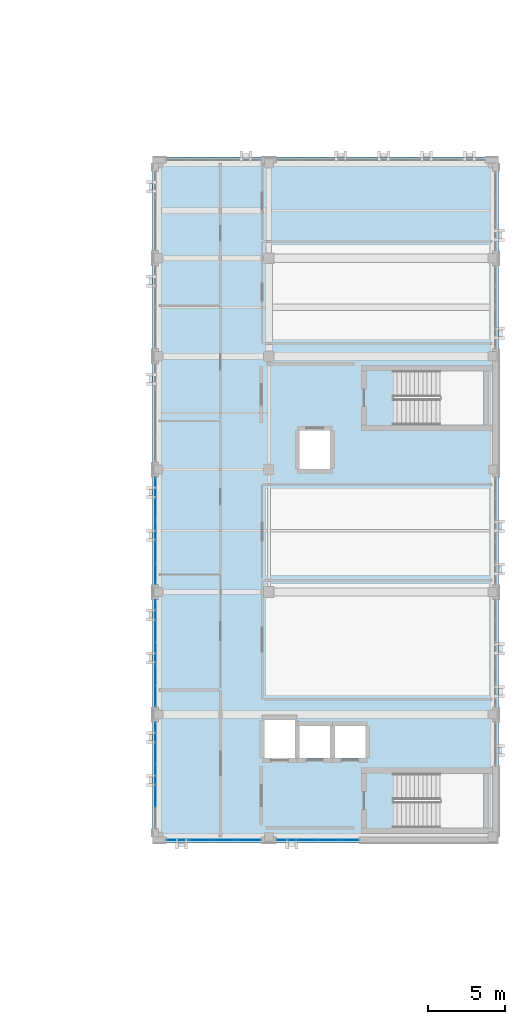
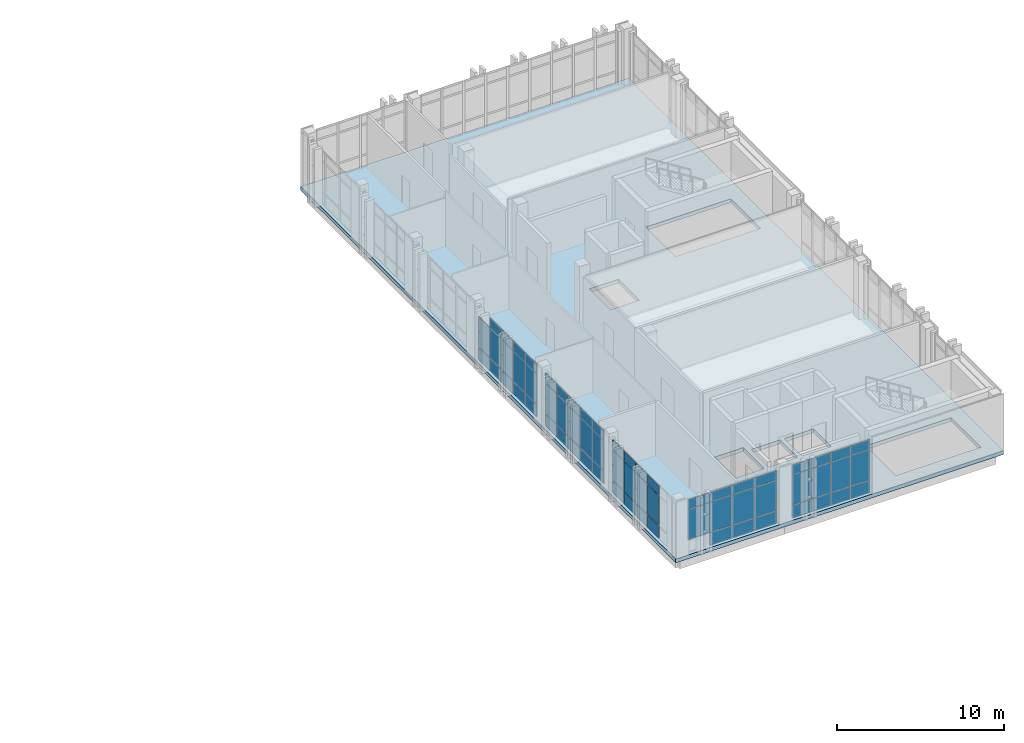
# One storey, part 60 of 90: 64 plates, 1 slab, 5 elements without a shape of their own.
"""IFC4 building model written with IfcOpenShell, lengths in metres."""

from ifc_helpers import new_model, si_unit, direction, frame, origin, origin_2d, place, context, subcontext, project, spatial, polyline, rectangle, outline, extrude, material, layer, layer_set, type_object, element, aggregate, save


model = new_model("IFC4")

# Units and contexts
model_context = context("Model", 3, precision=1e-05, world=origin(), true_north=direction((0.0, 1.0)))
body_context = subcontext(model_context, "Body", "Model", "MODEL_VIEW")
ifc_project = project(units=[si_unit("LENGTHUNIT", "METRE"), si_unit("AREAUNIT", "SQUARE_METRE"), si_unit("VOLUMEUNIT", "CUBIC_METRE"), si_unit("PLANEANGLEUNIT", "RADIAN"), si_unit("MASSUNIT", "GRAM", prefix="KILO")], contexts=[model_context])

# Site, building, storey
site_placement = place(None, origin())
site = spatial("IfcSite", under=ifc_project, at=site_placement, CompositionType="ELEMENT")
building_placement = place(site_placement, origin())
building = spatial("IfcBuilding", under=site, at=building_placement, Name="Qalavern Law Courts", CompositionType="ELEMENT")
storey_placement = place(building_placement, frame((0.0, 0.0, 22.800048828125)))
storey = spatial("IfcBuildingStorey", under=building, at=storey_placement, Name="L05", CompositionType="ELEMENT", Elevation=22.800048828125)

# Curtain wall, plates
ifc_material_1 = material(Name="Anodised aluminium and insulated glazing", Category="aluminium")
ifc_layer_1 = layer(ifc_material_1, 0.159912109375)
ifc_layer_set_1 = layer_set([ifc_layer_1], Name="Anodised aluminium and insulated glazing")
curtain_wall_type = type_object("IfcCurtainWallType", Name="ENV-CW-CHAMB", PredefinedType="USERDEFINED", material=ifc_layer_set_1)
curtain_wall_1_placement = place(storey_placement, origin())
curtain_wall_1 = element("IfcCurtainWall", 1, at=curtain_wall_1_placement, inside=storey, type_object=curtain_wall_type, Name="V4 unitised curtain wall L05 south 1", ObjectType="UNITISED CURTAIN WALL", PredefinedType="USERDEFINED")
ifc_material_2 = material(Name="Insulated low-E acoustic glazing", Category="glass")
ifc_layer_2 = layer(ifc_material_2, 0.028076171875)
ifc_layer_set_2 = layer_set([ifc_layer_2], Name="Insulated low-E acoustic glazing")
plate_type_1 = type_object("IfcPlateType", Name="ENV-CWP-28", PredefinedType="CURTAIN_PANEL", material=ifc_layer_set_2)
plate_1_placement = place(storey_placement, frame((85.886962890625, 41.21240234375, 0.97412109375), z_axis=(0.0, 0.0, 1.0), x_axis=(1.0, 0.0, 0.0)))
plate_1 = element("IfcPlate", 2, at=plate_1_placement, type_object=plate_type_1, Name="CW-04 panel 1.2", PredefinedType="CURTAIN_PANEL", context=body_context, shape_type="SweptSolid", body=[
    extrude(rectangle(XDim=1.47802734375, YDim=0.028076171875, at=origin_2d()), origin(), (0.0, 0.0, 1.0), 2.181884765625),
])
plate_2_placement = place(storey_placement, frame((85.886962890625, 41.21240234375, 3.2041015625), z_axis=(0.0, 0.0, 1.0), x_axis=(1.0, 0.0, 0.0)))
plate_2 = element("IfcPlate", 3, at=plate_2_placement, type_object=plate_type_1, Name="CW-04 panel 1.3", PredefinedType="CURTAIN_PANEL", context=body_context, shape_type="SweptSolid", body=[
    extrude(rectangle(XDim=1.47802734375, YDim=0.028076171875, at=origin_2d()), origin(), (0.0, 0.0, 1.0), 0.677978515625),
])
plate_3_placement = place(storey_placement, frame((87.425048828125, 41.21240234375, 0.048095703125), z_axis=(0.0, 0.0, 1.0), x_axis=(1.0, 0.0, 0.0)))
plate_3 = element("IfcPlate", 4, at=plate_3_placement, type_object=plate_type_1, Name="CW-04 panel 2.1", PredefinedType="CURTAIN_PANEL", context=body_context, shape_type="SweptSolid", body=[
    extrude(rectangle(XDim=1.501953125, YDim=0.028076171875, at=origin_2d()), origin(), (0.0, 0.0, 1.0), 0.8779296875),
])
plate_4_placement = place(storey_placement, frame((87.425048828125, 41.21240234375, 0.97412109375), z_axis=(0.0, 0.0, 1.0), x_axis=(1.0, 0.0, 0.0)))
plate_4 = element("IfcPlate", 5, at=plate_4_placement, type_object=plate_type_1, Name="CW-04 panel 2.2", PredefinedType="CURTAIN_PANEL", context=body_context, shape_type="SweptSolid", body=[
    extrude(rectangle(XDim=1.501953125, YDim=0.028076171875, at=origin_2d()), origin(), (0.0, 0.0, 1.0), 2.181884765625),
])
plate_5_placement = place(storey_placement, frame((87.425048828125, 41.21240234375, 3.2041015625), z_axis=(0.0, 0.0, 1.0), x_axis=(1.0, 0.0, 0.0)))
plate_5 = element("IfcPlate", 6, at=plate_5_placement, type_object=plate_type_1, Name="CW-04 panel 2.3", PredefinedType="CURTAIN_PANEL", context=body_context, shape_type="SweptSolid", body=[
    extrude(rectangle(XDim=1.501953125, YDim=0.028076171875, at=origin_2d()), origin(), (0.0, 0.0, 1.0), 0.677978515625),
])
plate_6_placement = place(storey_placement, frame((88.97509765625, 41.21240234375, 0.048095703125), z_axis=(0.0, 0.0, 1.0), x_axis=(1.0, 0.0, 0.0)))
plate_6 = element("IfcPlate", 7, at=plate_6_placement, type_object=plate_type_1, Name="CW-04 panel 3.1", PredefinedType="CURTAIN_PANEL", context=body_context, shape_type="SweptSolid", body=[
    extrude(rectangle(XDim=1.501953125, YDim=0.028076171875, at=origin_2d()), origin(), (0.0, 0.0, 1.0), 0.8779296875),
])
plate_7_placement = place(storey_placement, frame((88.97509765625, 41.21240234375, 0.97412109375), z_axis=(0.0, 0.0, 1.0), x_axis=(1.0, 0.0, 0.0)))
plate_7 = element("IfcPlate", 8, at=plate_7_placement, type_object=plate_type_1, Name="CW-04 panel 3.2", PredefinedType="CURTAIN_PANEL", context=body_context, shape_type="SweptSolid", body=[
    extrude(rectangle(XDim=1.501953125, YDim=0.028076171875, at=origin_2d()), origin(), (0.0, 0.0, 1.0), 2.181884765625),
])
plate_8_placement = place(storey_placement, frame((88.97509765625, 41.21240234375, 3.2041015625), z_axis=(0.0, 0.0, 1.0), x_axis=(1.0, 0.0, 0.0)))
plate_8 = element("IfcPlate", 9, at=plate_8_placement, type_object=plate_type_1, Name="CW-04 panel 3.3", PredefinedType="CURTAIN_PANEL", context=body_context, shape_type="SweptSolid", body=[
    extrude(rectangle(XDim=1.501953125, YDim=0.028076171875, at=origin_2d()), origin(), (0.0, 0.0, 1.0), 0.677978515625),
])
plate_9_placement = place(storey_placement, frame((90.512939453125, 41.21240234375, 0.048095703125), z_axis=(0.0, 0.0, 1.0), x_axis=(1.0, 0.0, 0.0)))
plate_9 = element("IfcPlate", 10, at=plate_9_placement, type_object=plate_type_1, Name="CW-04 panel 4.1", PredefinedType="CURTAIN_PANEL", context=body_context, shape_type="SweptSolid", body=[
    extrude(rectangle(XDim=1.47802734375, YDim=0.028076171875, at=origin_2d()), origin(), (0.0, 0.0, 1.0), 0.8779296875),
])
plate_10_placement = place(storey_placement, frame((90.512939453125, 41.21240234375, 0.97412109375), z_axis=(0.0, 0.0, 1.0), x_axis=(1.0, 0.0, 0.0)))
plate_10 = element("IfcPlate", 11, at=plate_10_placement, type_object=plate_type_1, Name="CW-04 panel 4.2", PredefinedType="CURTAIN_PANEL", context=body_context, shape_type="SweptSolid", body=[
    extrude(rectangle(XDim=1.47802734375, YDim=0.028076171875, at=origin_2d()), origin(), (0.0, 0.0, 1.0), 2.181884765625),
])
plate_11_placement = place(storey_placement, frame((90.512939453125, 41.21240234375, 3.2041015625), z_axis=(0.0, 0.0, 1.0), x_axis=(1.0, 0.0, 0.0)))
plate_11 = element("IfcPlate", 12, at=plate_11_placement, type_object=plate_type_1, Name="CW-04 panel 4.3", PredefinedType="CURTAIN_PANEL", context=body_context, shape_type="SweptSolid", body=[
    extrude(rectangle(XDim=1.47802734375, YDim=0.028076171875, at=origin_2d()), origin(), (0.0, 0.0, 1.0), 0.677978515625),
])
aggregate(curtain_wall_1, [plate_1, plate_2, plate_3, plate_4, plate_5, plate_6, plate_7, plate_8, plate_9, plate_10, plate_11])

curtain_wall_2_placement = place(storey_placement, origin())
curtain_wall_2 = element("IfcCurtainWall", 13, at=curtain_wall_2_placement, inside=storey, type_object=curtain_wall_type, Name="V4 unitised curtain wall L05 south 2", ObjectType="UNITISED CURTAIN WALL", PredefinedType="USERDEFINED")
ifc_layer_3 = layer(ifc_material_2, 0.031982421875)
ifc_layer_set_3 = layer_set([ifc_layer_3], Name="Insulated low-E acoustic glazing")
plate_type_2 = type_object("IfcPlateType", Name="ENV-CWP-32", PredefinedType="CURTAIN_PANEL", material=ifc_layer_set_3)
plate_12_placement = place(storey_placement, frame((92.987060546875, 41.21240234375, 0.048095703125), z_axis=(0.0, 0.0, 1.0), x_axis=(1.0, 0.0, 0.0)))
plate_12 = element("IfcPlate", 14, at=plate_12_placement, type_object=plate_type_2, Name="CW-04 panel 1.1", PredefinedType="CURTAIN_PANEL", context=body_context, shape_type="SweptSolid", body=[
    extrude(rectangle(XDim=1.278076171875, YDim=0.031982421875, at=origin_2d()), origin(), (0.0, 0.0, 1.0), 0.8779296875),
])
plate_13_placement = place(storey_placement, frame((92.987060546875, 41.21240234375, 0.97412109375), z_axis=(0.0, 0.0, 1.0), x_axis=(1.0, 0.0, 0.0)))
plate_13 = element("IfcPlate", 15, at=plate_13_placement, type_object=plate_type_2, Name="CW-04 panel 1.2", PredefinedType="CURTAIN_PANEL", context=body_context, shape_type="SweptSolid", body=[
    extrude(rectangle(XDim=1.278076171875, YDim=0.031982421875, at=origin_2d()), origin(), (0.0, 0.0, 1.0), 2.181884765625),
])
plate_14_placement = place(storey_placement, frame((92.987060546875, 41.21240234375, 3.2041015625), z_axis=(0.0, 0.0, 1.0), x_axis=(1.0, 0.0, 0.0)))
plate_14 = element("IfcPlate", 16, at=plate_14_placement, type_object=plate_type_2, Name="CW-04 panel 1.3", PredefinedType="CURTAIN_PANEL", context=body_context, shape_type="SweptSolid", body=[
    extrude(rectangle(XDim=1.278076171875, YDim=0.031982421875, at=origin_2d()), origin(), (0.0, 0.0, 1.0), 0.677978515625),
])
plate_15_placement = place(storey_placement, frame((94.324951171875, 41.21240234375, 0.048095703125), z_axis=(0.0, 0.0, 1.0), x_axis=(1.0, 0.0, 0.0)))
plate_15 = element("IfcPlate", 17, at=plate_15_placement, type_object=plate_type_2, Name="CW-04 panel 2.1", PredefinedType="CURTAIN_PANEL", context=body_context, shape_type="SweptSolid", body=[
    extrude(rectangle(XDim=1.302001953125, YDim=0.031982421875, at=origin_2d()), origin(), (0.0, 0.0, 1.0), 0.8779296875),
])
plate_16_placement = place(storey_placement, frame((94.324951171875, 41.21240234375, 0.97412109375), z_axis=(0.0, 0.0, 1.0), x_axis=(1.0, 0.0, 0.0)))
plate_16 = element("IfcPlate", 18, at=plate_16_placement, type_object=plate_type_2, Name="CW-04 panel 2.2", PredefinedType="CURTAIN_PANEL", context=body_context, shape_type="SweptSolid", body=[
    extrude(rectangle(XDim=1.302001953125, YDim=0.031982421875, at=origin_2d()), origin(), (0.0, 0.0, 1.0), 2.181884765625),
])
plate_17_placement = place(storey_placement, frame((94.324951171875, 41.21240234375, 3.2041015625), z_axis=(0.0, 0.0, 1.0), x_axis=(1.0, 0.0, 0.0)))
plate_17 = element("IfcPlate", 19, at=plate_17_placement, type_object=plate_type_2, Name="CW-04 panel 2.3", PredefinedType="CURTAIN_PANEL", context=body_context, shape_type="SweptSolid", body=[
    extrude(rectangle(XDim=1.302001953125, YDim=0.031982421875, at=origin_2d()), origin(), (0.0, 0.0, 1.0), 0.677978515625),
])
plate_18_placement = place(storey_placement, frame((95.675048828125, 41.21240234375, 0.048095703125), z_axis=(0.0, 0.0, 1.0), x_axis=(1.0, 0.0, 0.0)))
plate_18 = element("IfcPlate", 20, at=plate_18_placement, type_object=plate_type_2, Name="CW-04 panel 3.1", PredefinedType="CURTAIN_PANEL", context=body_context, shape_type="SweptSolid", body=[
    extrude(rectangle(XDim=1.302001953125, YDim=0.031982421875, at=origin_2d()), origin(), (0.0, 0.0, 1.0), 0.8779296875),
])
plate_19_placement = place(storey_placement, frame((95.675048828125, 41.21240234375, 0.97412109375), z_axis=(0.0, 0.0, 1.0), x_axis=(1.0, 0.0, 0.0)))
plate_19 = element("IfcPlate", 21, at=plate_19_placement, type_object=plate_type_2, Name="CW-04 panel 3.2", PredefinedType="CURTAIN_PANEL", context=body_context, shape_type="SweptSolid", body=[
    extrude(rectangle(XDim=1.302001953125, YDim=0.031982421875, at=origin_2d()), origin(), (0.0, 0.0, 1.0), 2.181884765625),
])
plate_20_placement = place(storey_placement, frame((95.675048828125, 41.21240234375, 3.2041015625), z_axis=(0.0, 0.0, 1.0), x_axis=(1.0, 0.0, 0.0)))
plate_20 = element("IfcPlate", 22, at=plate_20_placement, type_object=plate_type_2, Name="CW-04 panel 3.3", PredefinedType="CURTAIN_PANEL", context=body_context, shape_type="SweptSolid", body=[
    extrude(rectangle(XDim=1.302001953125, YDim=0.031982421875, at=origin_2d()), origin(), (0.0, 0.0, 1.0), 0.677978515625),
])
plate_21_placement = place(storey_placement, frame((97.012939453125, 41.21240234375, 0.048095703125), z_axis=(0.0, 0.0, 1.0), x_axis=(1.0, 0.0, 0.0)))
plate_21 = element("IfcPlate", 23, at=plate_21_placement, type_object=plate_type_2, Name="CW-04 panel 4.1", PredefinedType="CURTAIN_PANEL", context=body_context, shape_type="SweptSolid", body=[
    extrude(rectangle(XDim=1.278076171875, YDim=0.031982421875, at=origin_2d()), origin(), (0.0, 0.0, 1.0), 0.8779296875),
])
plate_22_placement = place(storey_placement, frame((97.012939453125, 41.21240234375, 0.97412109375), z_axis=(0.0, 0.0, 1.0), x_axis=(1.0, 0.0, 0.0)))
plate_22 = element("IfcPlate", 24, at=plate_22_placement, type_object=plate_type_2, Name="CW-04 panel 4.2", PredefinedType="CURTAIN_PANEL", context=body_context, shape_type="SweptSolid", body=[
    extrude(rectangle(XDim=1.278076171875, YDim=0.031982421875, at=origin_2d()), origin(), (0.0, 0.0, 1.0), 2.181884765625),
])
plate_23_placement = place(storey_placement, frame((97.012939453125, 41.21240234375, 3.2041015625), z_axis=(0.0, 0.0, 1.0), x_axis=(1.0, 0.0, 0.0)))
plate_23 = element("IfcPlate", 25, at=plate_23_placement, type_object=plate_type_2, Name="CW-04 panel 4.3", PredefinedType="CURTAIN_PANEL", context=body_context, shape_type="SweptSolid", body=[
    extrude(rectangle(XDim=1.278076171875, YDim=0.031982421875, at=origin_2d()), origin(), (0.0, 0.0, 1.0), 0.677978515625),
])
aggregate(curtain_wall_2, [plate_12, plate_13, plate_14, plate_15, plate_16, plate_17, plate_18, plate_19, plate_20, plate_21, plate_22, plate_23])

curtain_wall_3_placement = place(storey_placement, origin())
curtain_wall_3 = element("IfcCurtainWall", 26, at=curtain_wall_3_placement, inside=storey, type_object=curtain_wall_type, Name="V4 unitised curtain wall L05 west 4", ObjectType="UNITISED CURTAIN WALL", PredefinedType="USERDEFINED")
ifc_layer_4 = layer(ifc_material_2, 0.0400390625)
ifc_layer_set_4 = layer_set([ifc_layer_4], Name="Insulated low-E acoustic glazing")
plate_type_3 = type_object("IfcPlateType", Name="ENV-CWP-40", PredefinedType="CURTAIN_PANEL", material=ifc_layer_set_4)
plate_24_placement = place(storey_placement, frame((84.392578125, 64.18798828125, 0.048095703125), z_axis=(0.0, 0.0, 1.0), x_axis=(0.0, -1.0, 0.0)))
plate_24 = element("IfcPlate", 27, at=plate_24_placement, type_object=plate_type_3, Name="CW-04 panel 1.1", PredefinedType="CURTAIN_PANEL", context=body_context, shape_type="SweptSolid", body=[
    extrude(rectangle(XDim=1.327880859375, YDim=0.0400390625, at=origin_2d()), origin(), (0.0, 0.0, 1.0), 0.8779296875),
])
plate_25_placement = place(storey_placement, frame((84.392578125, 64.18798828125, 0.97412109375), z_axis=(0.0, 0.0, 1.0), x_axis=(0.0, -1.0, 0.0)))
plate_25 = element("IfcPlate", 28, at=plate_25_placement, type_object=plate_type_3, Name="CW-04 panel 1.2", PredefinedType="CURTAIN_PANEL", context=body_context, shape_type="SweptSolid", body=[
    extrude(rectangle(XDim=1.327880859375, YDim=0.0400390625, at=origin_2d()), origin(), (0.0, 0.0, 1.0), 2.181884765625),
])
plate_26_placement = place(storey_placement, frame((84.392578125, 62.800048828125, 0.048095703125), z_axis=(0.0, 0.0, 1.0), x_axis=(0.0, -1.0, 0.0)))
plate_26 = element("IfcPlate", 29, at=plate_26_placement, type_object=plate_type_3, Name="CW-04 panel 2.1", PredefinedType="CURTAIN_PANEL", context=body_context, shape_type="SweptSolid", body=[
    extrude(rectangle(XDim=1.35205078125, YDim=0.0400390625, at=origin_2d()), origin(), (0.0, 0.0, 1.0), 0.8779296875),
])
plate_27_placement = place(storey_placement, frame((84.392578125, 62.800048828125, 0.97412109375), z_axis=(0.0, 0.0, 1.0), x_axis=(0.0, -1.0, 0.0)))
plate_27 = element("IfcPlate", 30, at=plate_27_placement, type_object=plate_type_3, Name="CW-04 panel 2.2", PredefinedType="CURTAIN_PANEL", context=body_context, shape_type="SweptSolid", body=[
    extrude(rectangle(XDim=1.35205078125, YDim=0.0400390625, at=origin_2d()), origin(), (0.0, 0.0, 1.0), 2.181884765625),
])
plate_28_placement = place(storey_placement, frame((84.392578125, 62.800048828125, 3.2041015625), z_axis=(0.0, 0.0, 1.0), x_axis=(0.0, -1.0, 0.0)))
plate_28 = element("IfcPlate", 31, at=plate_28_placement, type_object=plate_type_3, Name="CW-04 panel 2.3", PredefinedType="CURTAIN_PANEL", context=body_context, shape_type="SweptSolid", body=[
    extrude(rectangle(XDim=1.35205078125, YDim=0.0400390625, at=origin_2d()), origin(), (0.0, 0.0, 1.0), 0.677978515625),
])
plate_29_placement = place(storey_placement, frame((84.392578125, 61.39990234375, 0.048095703125), z_axis=(0.0, 0.0, 1.0), x_axis=(0.0, -1.0, 0.0)))
plate_29 = element("IfcPlate", 32, at=plate_29_placement, type_object=plate_type_3, Name="CW-04 panel 3.1", PredefinedType="CURTAIN_PANEL", context=body_context, shape_type="SweptSolid", body=[
    extrude(rectangle(XDim=1.35205078125, YDim=0.0400390625, at=origin_2d()), origin(), (0.0, 0.0, 1.0), 0.8779296875),
])
plate_30_placement = place(storey_placement, frame((84.392578125, 61.39990234375, 0.97412109375), z_axis=(0.0, 0.0, 1.0), x_axis=(0.0, -1.0, 0.0)))
plate_30 = element("IfcPlate", 33, at=plate_30_placement, type_object=plate_type_3, Name="CW-04 panel 3.2", PredefinedType="CURTAIN_PANEL", context=body_context, shape_type="SweptSolid", body=[
    extrude(rectangle(XDim=1.35205078125, YDim=0.0400390625, at=origin_2d()), origin(), (0.0, 0.0, 1.0), 2.181884765625),
])
plate_31_placement = place(storey_placement, frame((84.392578125, 61.39990234375, 3.2041015625), z_axis=(0.0, 0.0, 1.0), x_axis=(0.0, -1.0, 0.0)))
plate_31 = element("IfcPlate", 34, at=plate_31_placement, type_object=plate_type_3, Name="CW-04 panel 3.3", PredefinedType="CURTAIN_PANEL", context=body_context, shape_type="SweptSolid", body=[
    extrude(rectangle(XDim=1.35205078125, YDim=0.0400390625, at=origin_2d()), origin(), (0.0, 0.0, 1.0), 0.677978515625),
])
plate_32_placement = place(storey_placement, frame((84.392578125, 60.0, 0.048095703125), z_axis=(0.0, 0.0, 1.0), x_axis=(0.0, -1.0, 0.0)))
plate_32 = element("IfcPlate", 35, at=plate_32_placement, type_object=plate_type_3, Name="CW-04 panel 4.1", PredefinedType="CURTAIN_PANEL", context=body_context, shape_type="SweptSolid", body=[
    extrude(rectangle(XDim=1.35205078125, YDim=0.0400390625, at=origin_2d()), origin(), (0.0, 0.0, 1.0), 0.8779296875),
])
plate_33_placement = place(storey_placement, frame((84.392578125, 60.0, 0.97412109375), z_axis=(0.0, 0.0, 1.0), x_axis=(0.0, -1.0, 0.0)))
plate_33 = element("IfcPlate", 36, at=plate_33_placement, type_object=plate_type_3, Name="CW-04 panel 4.2", PredefinedType="CURTAIN_PANEL", context=body_context, shape_type="SweptSolid", body=[
    extrude(rectangle(XDim=1.35205078125, YDim=0.0400390625, at=origin_2d()), origin(), (0.0, 0.0, 1.0), 2.181884765625),
])
plate_34_placement = place(storey_placement, frame((84.392578125, 60.0, 3.2041015625), z_axis=(0.0, 0.0, 1.0), x_axis=(0.0, -1.0, 0.0)))
plate_34 = element("IfcPlate", 37, at=plate_34_placement, type_object=plate_type_3, Name="CW-04 panel 4.3", PredefinedType="CURTAIN_PANEL", context=body_context, shape_type="SweptSolid", body=[
    extrude(rectangle(XDim=1.35205078125, YDim=0.0400390625, at=origin_2d()), origin(), (0.0, 0.0, 1.0), 0.677978515625),
])
plate_35_placement = place(storey_placement, frame((84.392578125, 58.612060546875, 0.048095703125), z_axis=(0.0, 0.0, 1.0), x_axis=(0.0, -1.0, 0.0)))
plate_35 = element("IfcPlate", 38, at=plate_35_placement, type_object=plate_type_3, Name="CW-04 panel 5.1", PredefinedType="CURTAIN_PANEL", context=body_context, shape_type="SweptSolid", body=[
    extrude(rectangle(XDim=1.327880859375, YDim=0.0400390625, at=origin_2d()), origin(), (0.0, 0.0, 1.0), 0.8779296875),
])
plate_36_placement = place(storey_placement, frame((84.392578125, 58.612060546875, 0.97412109375), z_axis=(0.0, 0.0, 1.0), x_axis=(0.0, -1.0, 0.0)))
plate_36 = element("IfcPlate", 39, at=plate_36_placement, type_object=plate_type_3, Name="CW-04 panel 5.2", PredefinedType="CURTAIN_PANEL", context=body_context, shape_type="SweptSolid", body=[
    extrude(rectangle(XDim=1.327880859375, YDim=0.0400390625, at=origin_2d()), origin(), (0.0, 0.0, 1.0), 2.181884765625),
])
plate_37_placement = place(storey_placement, frame((84.392578125, 58.612060546875, 3.2041015625), z_axis=(0.0, 0.0, 1.0), x_axis=(0.0, -1.0, 0.0)))
plate_37 = element("IfcPlate", 40, at=plate_37_placement, type_object=plate_type_3, Name="CW-04 panel 5.3", PredefinedType="CURTAIN_PANEL", context=body_context, shape_type="SweptSolid", body=[
    extrude(rectangle(XDim=1.327880859375, YDim=0.0400390625, at=origin_2d()), origin(), (0.0, 0.0, 1.0), 0.677978515625),
])
aggregate(curtain_wall_3, [plate_24, plate_25, plate_26, plate_27, plate_28, plate_29, plate_30, plate_31, plate_32, plate_33, plate_34, plate_35, plate_36, plate_37])

curtain_wall_4_placement = place(storey_placement, origin())
curtain_wall_4 = element("IfcCurtainWall", 41, at=curtain_wall_4_placement, inside=storey, type_object=curtain_wall_type, Name="V4 unitised curtain wall L05 west 5", ObjectType="UNITISED CURTAIN WALL", PredefinedType="USERDEFINED")
ifc_layer_5 = layer(ifc_material_2, 0.0439453125)
ifc_layer_set_5 = layer_set([ifc_layer_5], Name="Insulated low-E acoustic glazing")
plate_type_4 = type_object("IfcPlateType", Name="ENV-CWP-44", PredefinedType="CURTAIN_PANEL", material=ifc_layer_set_5)
plate_38_placement = place(storey_placement, frame((84.392578125, 56.18798828125, 0.048095703125), z_axis=(0.0, 0.0, 1.0), x_axis=(0.0, -1.0, 0.0)))
plate_38 = element("IfcPlate", 42, at=plate_38_placement, type_object=plate_type_4, Name="CW-04 panel 1.1", PredefinedType="CURTAIN_PANEL", context=body_context, shape_type="SweptSolid", body=[
    extrude(rectangle(XDim=1.327880859375, YDim=0.0439453125, at=origin_2d()), origin(), (0.0, 0.0, 1.0), 0.8779296875),
])
plate_39_placement = place(storey_placement, frame((84.392578125, 56.18798828125, 0.97412109375), z_axis=(0.0, 0.0, 1.0), x_axis=(0.0, -1.0, 0.0)))
plate_39 = element("IfcPlate", 43, at=plate_39_placement, type_object=plate_type_4, Name="CW-04 panel 1.2", PredefinedType="CURTAIN_PANEL", context=body_context, shape_type="SweptSolid", body=[
    extrude(rectangle(XDim=1.327880859375, YDim=0.0439453125, at=origin_2d()), origin(), (0.0, 0.0, 1.0), 2.181884765625),
])
plate_40_placement = place(storey_placement, frame((84.392578125, 56.18798828125, 3.2041015625), z_axis=(0.0, 0.0, 1.0), x_axis=(0.0, -1.0, 0.0)))
plate_40 = element("IfcPlate", 44, at=plate_40_placement, type_object=plate_type_4, Name="CW-04 panel 1.3", PredefinedType="CURTAIN_PANEL", context=body_context, shape_type="SweptSolid", body=[
    extrude(rectangle(XDim=1.327880859375, YDim=0.0439453125, at=origin_2d()), origin(), (0.0, 0.0, 1.0), 0.677978515625),
])
plate_41_placement = place(storey_placement, frame((84.392578125, 54.800048828125, 0.048095703125), z_axis=(0.0, 0.0, 1.0), x_axis=(0.0, -1.0, 0.0)))
plate_41 = element("IfcPlate", 45, at=plate_41_placement, type_object=plate_type_4, Name="CW-04 panel 2.1", PredefinedType="CURTAIN_PANEL", context=body_context, shape_type="SweptSolid", body=[
    extrude(rectangle(XDim=1.35205078125, YDim=0.0439453125, at=origin_2d()), origin(), (0.0, 0.0, 1.0), 0.8779296875),
])
plate_42_placement = place(storey_placement, frame((84.392578125, 54.800048828125, 0.97412109375), z_axis=(0.0, 0.0, 1.0), x_axis=(0.0, -1.0, 0.0)))
plate_42 = element("IfcPlate", 46, at=plate_42_placement, type_object=plate_type_4, Name="CW-04 panel 2.2", PredefinedType="CURTAIN_PANEL", context=body_context, shape_type="SweptSolid", body=[
    extrude(rectangle(XDim=1.35205078125, YDim=0.0439453125, at=origin_2d()), origin(), (0.0, 0.0, 1.0), 2.181884765625),
])
plate_43_placement = place(storey_placement, frame((84.392578125, 54.800048828125, 3.2041015625), z_axis=(0.0, 0.0, 1.0), x_axis=(0.0, -1.0, 0.0)))
plate_43 = element("IfcPlate", 47, at=plate_43_placement, type_object=plate_type_4, Name="CW-04 panel 2.3", PredefinedType="CURTAIN_PANEL", context=body_context, shape_type="SweptSolid", body=[
    extrude(rectangle(XDim=1.35205078125, YDim=0.0439453125, at=origin_2d()), origin(), (0.0, 0.0, 1.0), 0.677978515625),
])
plate_44_placement = place(storey_placement, frame((84.392578125, 53.39990234375, 0.048095703125), z_axis=(0.0, 0.0, 1.0), x_axis=(0.0, -1.0, 0.0)))
plate_44 = element("IfcPlate", 48, at=plate_44_placement, type_object=plate_type_4, Name="CW-04 panel 3.1", PredefinedType="CURTAIN_PANEL", context=body_context, shape_type="SweptSolid", body=[
    extrude(rectangle(XDim=1.35205078125, YDim=0.0439453125, at=origin_2d()), origin(), (0.0, 0.0, 1.0), 0.8779296875),
])
plate_45_placement = place(storey_placement, frame((84.392578125, 53.39990234375, 0.97412109375), z_axis=(0.0, 0.0, 1.0), x_axis=(0.0, -1.0, 0.0)))
plate_45 = element("IfcPlate", 49, at=plate_45_placement, type_object=plate_type_4, Name="CW-04 panel 3.2", PredefinedType="CURTAIN_PANEL", context=body_context, shape_type="SweptSolid", body=[
    extrude(rectangle(XDim=1.35205078125, YDim=0.0439453125, at=origin_2d()), origin(), (0.0, 0.0, 1.0), 2.181884765625),
])
plate_46_placement = place(storey_placement, frame((84.392578125, 53.39990234375, 3.2041015625), z_axis=(0.0, 0.0, 1.0), x_axis=(0.0, -1.0, 0.0)))
plate_46 = element("IfcPlate", 50, at=plate_46_placement, type_object=plate_type_4, Name="CW-04 panel 3.3", PredefinedType="CURTAIN_PANEL", context=body_context, shape_type="SweptSolid", body=[
    extrude(rectangle(XDim=1.35205078125, YDim=0.0439453125, at=origin_2d()), origin(), (0.0, 0.0, 1.0), 0.677978515625),
])
plate_47_placement = place(storey_placement, frame((84.392578125, 52.0, 0.048095703125), z_axis=(0.0, 0.0, 1.0), x_axis=(0.0, -1.0, 0.0)))
plate_47 = element("IfcPlate", 51, at=plate_47_placement, type_object=plate_type_4, Name="CW-04 panel 4.1", PredefinedType="CURTAIN_PANEL", context=body_context, shape_type="SweptSolid", body=[
    extrude(rectangle(XDim=1.35205078125, YDim=0.0439453125, at=origin_2d()), origin(), (0.0, 0.0, 1.0), 0.8779296875),
])
plate_48_placement = place(storey_placement, frame((84.392578125, 52.0, 0.97412109375), z_axis=(0.0, 0.0, 1.0), x_axis=(0.0, -1.0, 0.0)))
plate_48 = element("IfcPlate", 52, at=plate_48_placement, type_object=plate_type_4, Name="CW-04 panel 4.2", PredefinedType="CURTAIN_PANEL", context=body_context, shape_type="SweptSolid", body=[
    extrude(rectangle(XDim=1.35205078125, YDim=0.0439453125, at=origin_2d()), origin(), (0.0, 0.0, 1.0), 2.181884765625),
])
plate_49_placement = place(storey_placement, frame((84.392578125, 52.0, 3.2041015625), z_axis=(0.0, 0.0, 1.0), x_axis=(0.0, -1.0, 0.0)))
plate_49 = element("IfcPlate", 53, at=plate_49_placement, type_object=plate_type_4, Name="CW-04 panel 4.3", PredefinedType="CURTAIN_PANEL", context=body_context, shape_type="SweptSolid", body=[
    extrude(rectangle(XDim=1.35205078125, YDim=0.0439453125, at=origin_2d()), origin(), (0.0, 0.0, 1.0), 0.677978515625),
])
plate_50_placement = place(storey_placement, frame((84.392578125, 50.612060546875, 0.048095703125), z_axis=(0.0, 0.0, 1.0), x_axis=(0.0, -1.0, 0.0)))
plate_50 = element("IfcPlate", 54, at=plate_50_placement, type_object=plate_type_4, Name="CW-04 panel 5.1", PredefinedType="CURTAIN_PANEL", context=body_context, shape_type="SweptSolid", body=[
    extrude(rectangle(XDim=1.327880859375, YDim=0.0439453125, at=origin_2d()), origin(), (0.0, 0.0, 1.0), 0.8779296875),
])
plate_51_placement = place(storey_placement, frame((84.392578125, 50.612060546875, 0.97412109375), z_axis=(0.0, 0.0, 1.0), x_axis=(0.0, -1.0, 0.0)))
plate_51 = element("IfcPlate", 55, at=plate_51_placement, type_object=plate_type_4, Name="CW-04 panel 5.2", PredefinedType="CURTAIN_PANEL", context=body_context, shape_type="SweptSolid", body=[
    extrude(rectangle(XDim=1.327880859375, YDim=0.0439453125, at=origin_2d()), origin(), (0.0, 0.0, 1.0), 2.181884765625),
])
plate_52_placement = place(storey_placement, frame((84.392578125, 50.612060546875, 3.2041015625), z_axis=(0.0, 0.0, 1.0), x_axis=(0.0, -1.0, 0.0)))
plate_52 = element("IfcPlate", 56, at=plate_52_placement, type_object=plate_type_4, Name="CW-04 panel 5.3", PredefinedType="CURTAIN_PANEL", context=body_context, shape_type="SweptSolid", body=[
    extrude(rectangle(XDim=1.327880859375, YDim=0.0439453125, at=origin_2d()), origin(), (0.0, 0.0, 1.0), 0.677978515625),
])
aggregate(curtain_wall_4, [plate_38, plate_39, plate_40, plate_41, plate_42, plate_43, plate_44, plate_45, plate_46, plate_47, plate_48, plate_49, plate_50, plate_51, plate_52])

curtain_wall_5_placement = place(storey_placement, origin())
curtain_wall_5 = element("IfcCurtainWall", 57, at=curtain_wall_5_placement, inside=storey, type_object=curtain_wall_type, Name="V4 unitised curtain wall L05 west 6", ObjectType="UNITISED CURTAIN WALL", PredefinedType="USERDEFINED")
ifc_layer_6 = layer(ifc_material_2, 0.048095703125)
ifc_layer_set_6 = layer_set([ifc_layer_6], Name="Insulated low-E acoustic glazing")
plate_type_5 = type_object("IfcPlateType", Name="ENV-CWP-48", PredefinedType="CURTAIN_PANEL", material=ifc_layer_set_6)
plate_53_placement = place(storey_placement, frame((84.392578125, 48.193115234375, 0.048095703125), z_axis=(0.0, 0.0, 1.0), x_axis=(0.0, -1.0, 0.0)))
plate_53 = element("IfcPlate", 58, at=plate_53_placement, type_object=plate_type_5, Name="CW-04 panel 1.1", PredefinedType="CURTAIN_PANEL", context=body_context, shape_type="SweptSolid", body=[
    extrude(rectangle(XDim=1.318115234375, YDim=0.048095703125, at=origin_2d()), origin(), (0.0, 0.0, 1.0), 0.8779296875),
])
plate_54_placement = place(storey_placement, frame((84.392578125, 48.193115234375, 0.97412109375), z_axis=(0.0, 0.0, 1.0), x_axis=(0.0, -1.0, 0.0)))
plate_54 = element("IfcPlate", 59, at=plate_54_placement, type_object=plate_type_5, Name="CW-04 panel 1.2", PredefinedType="CURTAIN_PANEL", context=body_context, shape_type="SweptSolid", body=[
    extrude(rectangle(XDim=1.318115234375, YDim=0.048095703125, at=origin_2d()), origin(), (0.0, 0.0, 1.0), 2.181884765625),
])
plate_55_placement = place(storey_placement, frame((84.392578125, 48.193115234375, 3.2041015625), z_axis=(0.0, 0.0, 1.0), x_axis=(0.0, -1.0, 0.0)))
plate_55 = element("IfcPlate", 60, at=plate_55_placement, type_object=plate_type_5, Name="CW-04 panel 1.3", PredefinedType="CURTAIN_PANEL", context=body_context, shape_type="SweptSolid", body=[
    extrude(rectangle(XDim=1.318115234375, YDim=0.048095703125, at=origin_2d()), origin(), (0.0, 0.0, 1.0), 0.677978515625),
])
plate_56_placement = place(storey_placement, frame((84.392578125, 46.81494140625, 0.048095703125), z_axis=(0.0, 0.0, 1.0), x_axis=(0.0, -1.0, 0.0)))
plate_56 = element("IfcPlate", 61, at=plate_56_placement, type_object=plate_type_5, Name="CW-04 panel 2.1", PredefinedType="CURTAIN_PANEL", context=body_context, shape_type="SweptSolid", body=[
    extrude(rectangle(XDim=1.342041015625, YDim=0.048095703125, at=origin_2d()), origin(), (0.0, 0.0, 1.0), 0.8779296875),
])
plate_57_placement = place(storey_placement, frame((84.392578125, 46.81494140625, 0.97412109375), z_axis=(0.0, 0.0, 1.0), x_axis=(0.0, -1.0, 0.0)))
plate_57 = element("IfcPlate", 62, at=plate_57_placement, type_object=plate_type_5, Name="CW-04 panel 2.2", PredefinedType="CURTAIN_PANEL", context=body_context, shape_type="SweptSolid", body=[
    extrude(rectangle(XDim=1.342041015625, YDim=0.048095703125, at=origin_2d()), origin(), (0.0, 0.0, 1.0), 2.181884765625),
])
plate_58_placement = place(storey_placement, frame((84.392578125, 46.81494140625, 3.2041015625), z_axis=(0.0, 0.0, 1.0), x_axis=(0.0, -1.0, 0.0)))
plate_58 = element("IfcPlate", 63, at=plate_58_placement, type_object=plate_type_5, Name="CW-04 panel 2.3", PredefinedType="CURTAIN_PANEL", context=body_context, shape_type="SweptSolid", body=[
    extrude(rectangle(XDim=1.342041015625, YDim=0.048095703125, at=origin_2d()), origin(), (0.0, 0.0, 1.0), 0.677978515625),
])
plate_59_placement = place(storey_placement, frame((84.392578125, 45.425048828125, 0.048095703125), z_axis=(0.0, 0.0, 1.0), x_axis=(0.0, -1.0, 0.0)))
plate_59 = element("IfcPlate", 64, at=plate_59_placement, type_object=plate_type_5, Name="CW-04 panel 3.1", PredefinedType="CURTAIN_PANEL", context=body_context, shape_type="SweptSolid", body=[
    extrude(rectangle(XDim=1.342041015625, YDim=0.048095703125, at=origin_2d()), origin(), (0.0, 0.0, 1.0), 0.8779296875),
])
plate_60_placement = place(storey_placement, frame((84.392578125, 45.425048828125, 0.97412109375), z_axis=(0.0, 0.0, 1.0), x_axis=(0.0, -1.0, 0.0)))
plate_60 = element("IfcPlate", 65, at=plate_60_placement, type_object=plate_type_5, Name="CW-04 panel 3.2", PredefinedType="CURTAIN_PANEL", context=body_context, shape_type="SweptSolid", body=[
    extrude(rectangle(XDim=1.342041015625, YDim=0.048095703125, at=origin_2d()), origin(), (0.0, 0.0, 1.0), 2.181884765625),
])
plate_61_placement = place(storey_placement, frame((84.392578125, 45.425048828125, 3.2041015625), z_axis=(0.0, 0.0, 1.0), x_axis=(0.0, -1.0, 0.0)))
plate_61 = element("IfcPlate", 66, at=plate_61_placement, type_object=plate_type_5, Name="CW-04 panel 3.3", PredefinedType="CURTAIN_PANEL", context=body_context, shape_type="SweptSolid", body=[
    extrude(rectangle(XDim=1.342041015625, YDim=0.048095703125, at=origin_2d()), origin(), (0.0, 0.0, 1.0), 0.677978515625),
])
plate_62_placement = place(storey_placement, frame((84.392578125, 44.034912109375, 0.048095703125), z_axis=(0.0, 0.0, 1.0), x_axis=(0.0, -1.0, 0.0)))
plate_62 = element("IfcPlate", 67, at=plate_62_placement, type_object=plate_type_5, Name="CW-04 panel 4.1", PredefinedType="CURTAIN_PANEL", context=body_context, shape_type="SweptSolid", body=[
    extrude(rectangle(XDim=1.342041015625, YDim=0.048095703125, at=origin_2d()), origin(), (0.0, 0.0, 1.0), 0.8779296875),
])
plate_63_placement = place(storey_placement, frame((84.392578125, 44.034912109375, 0.97412109375), z_axis=(0.0, 0.0, 1.0), x_axis=(0.0, -1.0, 0.0)))
plate_63 = element("IfcPlate", 68, at=plate_63_placement, type_object=plate_type_5, Name="CW-04 panel 4.2", PredefinedType="CURTAIN_PANEL", context=body_context, shape_type="SweptSolid", body=[
    extrude(rectangle(XDim=1.342041015625, YDim=0.048095703125, at=origin_2d()), origin(), (0.0, 0.0, 1.0), 2.181884765625),
])
plate_64_placement = place(storey_placement, frame((84.392578125, 44.034912109375, 3.2041015625), z_axis=(0.0, 0.0, 1.0), x_axis=(0.0, -1.0, 0.0)))
plate_64 = element("IfcPlate", 69, at=plate_64_placement, type_object=plate_type_5, Name="CW-04 panel 4.3", PredefinedType="CURTAIN_PANEL", context=body_context, shape_type="SweptSolid", body=[
    extrude(rectangle(XDim=1.342041015625, YDim=0.048095703125, at=origin_2d()), origin(), (0.0, 0.0, 1.0), 0.677978515625),
])
aggregate(curtain_wall_5, [plate_53, plate_54, plate_55, plate_56, plate_57, plate_58, plate_59, plate_60, plate_61, plate_62, plate_63, plate_64])

# Slab
ifc_material_3 = material(Name="Concrete C35/45", Category="concrete")
ifc_layer_7 = layer(ifc_material_3, 0.27490234375)
ifc_layer_set_7 = layer_set([ifc_layer_7], Name="Concrete C35/45")
slab_type = type_object("IfcSlabType", Name="STR-SLB-L05-275", PredefinedType="FLOOR", material=ifc_layer_set_7)
slab_placement = place(storey_placement, frame((0.0, 0.0, -0.275146484375)))
element("IfcSlab", 70, at=slab_placement, inside=storey, type_object=slab_type, Name="V4 floor slab L05", PredefinedType="FLOOR", context=body_context, shape_type="SweptSolid", body=[
    extrude(outline(polyline([(84.199951171875, 41.02001953125), (106.800048828125, 41.02001953125), (106.800048828125, 85.800048828125), (84.199951171875, 85.800048828125), (84.199951171875, 41.02001953125)]), holes=[polyline([(99.93994140625, 42.0), (105.800048828125, 42.0), (105.800048828125, 45.550048828125), (99.93994140625, 45.550048828125), (99.93994140625, 42.0)]), polyline([(91.5, 46.550048828125), (93.5, 46.550048828125), (93.5, 49.050048828125), (91.5, 49.050048828125), (91.5, 46.550048828125)]), polyline([(93.800048828125, 46.550048828125), (95.800048828125, 46.550048828125), (95.800048828125, 48.64990234375), (93.800048828125, 48.64990234375), (93.800048828125, 46.550048828125)]), polyline([(96.10009765625, 46.550048828125), (98.10009765625, 46.550048828125), (98.10009765625, 48.64990234375), (96.10009765625, 48.64990234375), (96.10009765625, 46.550048828125)]), polyline([(99.93994140625, 68.300048828125), (105.800048828125, 68.300048828125), (105.800048828125, 71.85009765625), (99.93994140625, 71.85009765625), (99.93994140625, 68.300048828125)]), polyline([(93.800048828125, 65.449951171875), (95.800048828125, 65.449951171875), (95.800048828125, 67.949951171875), (93.800048828125, 67.949951171875), (93.800048828125, 65.449951171875)])]), origin(), (0.0, 0.0, 1.0), 0.275146484375),
])

save(model, "model.ifc")
